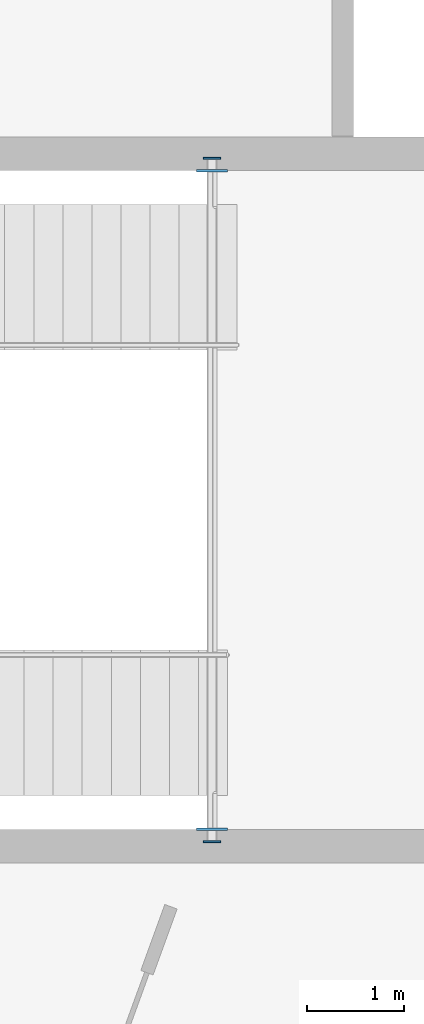
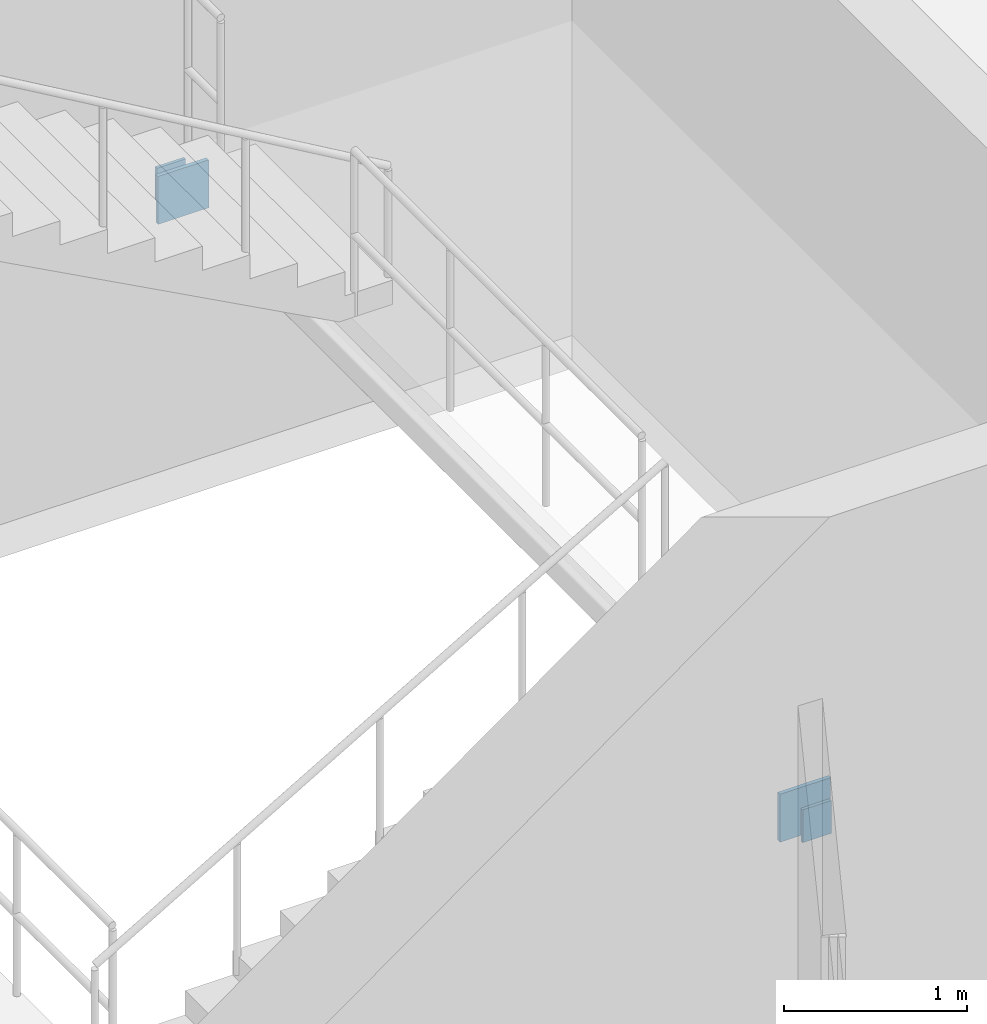
# One storey, part 37 of 57: 4 plates.
"""IFC4 building model written with IfcOpenShell, lengths in metres."""

from ifc_helpers import new_model, si_unit, direction, frame, origin, origin_2d, place, context, subcontext, project, spatial, rectangle, extrude, material, layer, layer_set, type_object, element, save


model = new_model("IFC4")

# Units and contexts
model_context = context("Model", 3, precision=1e-05, world=origin(), true_north=direction((0.0, 1.0)))
body_context = subcontext(model_context, "Body", "Model", "MODEL_VIEW")
ifc_project = project(units=[si_unit("LENGTHUNIT", "METRE"), si_unit("AREAUNIT", "SQUARE_METRE"), si_unit("VOLUMEUNIT", "CUBIC_METRE"), si_unit("PLANEANGLEUNIT", "RADIAN"), si_unit("MASSUNIT", "GRAM", prefix="KILO"), si_unit("THERMODYNAMICTEMPERATUREUNIT", "KELVIN"), si_unit("POWERUNIT", "WATT")], contexts=[model_context])

# Site, building, storey
site_placement = place(None, origin())
site = spatial("IfcSite", under=ifc_project, at=site_placement, CompositionType="ELEMENT")
building_placement = place(site_placement, origin())
building = spatial("IfcBuilding", under=site, at=building_placement, Name="Solvatero Civic Police Headquarters", CompositionType="ELEMENT")
storey_placement = place(building_placement, frame((0.0, 0.0, 9.300048828125)))
storey = spatial("IfcBuildingStorey", under=building, at=storey_placement, Name="L02", CompositionType="ELEMENT", Elevation=9.300048828125)

# Plates
ifc_material = material(Name="Steel S355", Category="steel")
ifc_layer_1 = layer(ifc_material, 0.02001953125)
ifc_layer_set_1 = layer_set([ifc_layer_1], Name="Steel S355")
plate_type_1 = type_object("IfcPlateType", Name="PLT-CAP-20", PredefinedType="SHEET", material=ifc_layer_set_1)
for number, where, z_axis, x_axis, name in (
    (1, (46.139892578125, 42.469970703125, 1.71484375), (0.0, 0.0, 1.0), (1.0, 0.0, 0.0), "Hollow Section Cap Plate 0027"),
    (2, (46.139892578125, 49.530029296875, 1.71484375), (0.0, 0.0, 1.0), (1.0, 0.0, 0.0), "Hollow Section Cap Plate 0028"),
):
    element("IfcPlate", number, at=place(storey_placement, frame(where, z_axis=z_axis, x_axis=x_axis)), inside=storey, type_object=plate_type_1, Name=name, PredefinedType="SHEET", context=body_context, shape_type="SweptSolid", body=[
        extrude(rectangle(XDim=0.179931640625, YDim=0.02001953125, at=origin_2d()), origin(), (0.0, 0.0, 1.0), 0.219970703125),
    ])
ifc_layer_2 = layer(ifc_material, 0.02490234375)
ifc_layer_set_2 = layer_set([ifc_layer_2], Name="Steel S355")
plate_type_2 = type_object("IfcPlateType", Name="PLT-EMB-25", PredefinedType="SHEET", material=ifc_layer_set_2)
for number, where, z_axis, x_axis, name in (
    (3, (46.139892578125, 42.60009765625, 1.6650390625), (0.0, 0.0, 1.0), (1.0, 0.0, 0.0), "Cast-In Shear Wall Embed Plate 0027"),
    (4, (46.139892578125, 49.39990234375, 1.6650390625), (0.0, 0.0, 1.0), (1.0, 0.0, 0.0), "Cast-In Shear Wall Embed Plate 0028"),
):
    element("IfcPlate", number, at=place(storey_placement, frame(where, z_axis=z_axis, x_axis=x_axis)), inside=storey, type_object=plate_type_2, Name=name, PredefinedType="SHEET", context=body_context, shape_type="SweptSolid", body=[
        extrude(rectangle(XDim=0.320068359375, YDim=0.02490234375, at=origin_2d()), origin(), (0.0, 0.0, 1.0), 0.320068359375),
    ])

save(model, "model.ifc")
